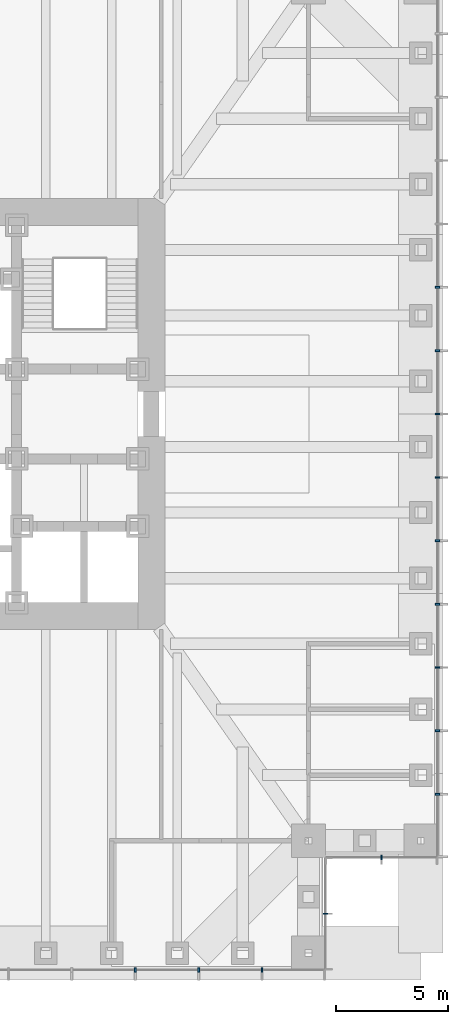
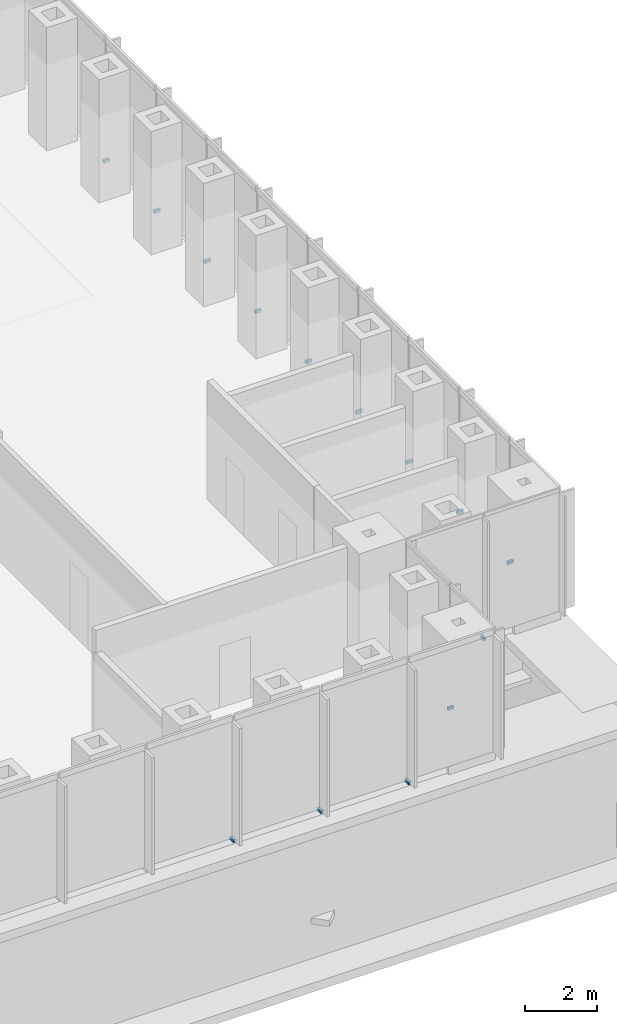
# One storey, part 13 of 16: 14 discrete accessories.
"""IFC4 building model written with IfcOpenShell, lengths in metres."""

from ifc_helpers import new_model, si_unit, direction, frame, origin, origin_2d, place, context, subcontext, project, spatial, rectangle, extrude, element, save


model = new_model("IFC4")

# Units and contexts
model_context = context("Model", 3, precision=1e-05, world=origin(), true_north=direction((0.0, 1.0)))
body_context = subcontext(model_context, "Body", "Model", "MODEL_VIEW")
ifc_project = project(units=[si_unit("LENGTHUNIT", "METRE"), si_unit("AREAUNIT", "SQUARE_METRE"), si_unit("VOLUMEUNIT", "CUBIC_METRE"), si_unit("PLANEANGLEUNIT", "RADIAN"), si_unit("MASSUNIT", "GRAM", prefix="KILO")], contexts=[model_context])

# Site, building, storey
site_placement = place(None, origin())
site = spatial("IfcSite", under=ifc_project, at=site_placement, CompositionType="ELEMENT")
building_placement = place(site_placement, origin())
building = spatial("IfcBuilding", under=site, at=building_placement, Name="Daluyong Arena Tower", CompositionType="ELEMENT")
storey_placement = place(building_placement, frame((0.0, 0.0, 34.89990234375)))
storey = spatial("IfcBuildingStorey", under=building, at=storey_placement, Name="L06", CompositionType="ELEMENT", Elevation=34.89990234375)

# Discrete accessories
for number, where, z_axis, x_axis, name in (
    (1, (67.28564453125, 55.25, -0.099853515625), (0.0, 0.0, 1.0), (1.0, 0.0, 0.0), "curtain wall L06 S anchor bracket 12"),
    (2, (70.107177734375, 55.25, -0.099853515625), (0.0, 0.0, 1.0), (1.0, 0.0, 0.0), "curtain wall L06 S anchor bracket 13"),
    (3, (72.928466796875, 55.25, -0.099853515625), (0.0, 0.0, 1.0), (1.0, 0.0, 0.0), "curtain wall L06 S anchor bracket 14"),
):
    element("IfcDiscreteAccessory", number, at=place(storey_placement, frame(where, z_axis=z_axis, x_axis=x_axis)), inside=storey, Name=name, PredefinedType="BRACKET", context=body_context, shape_type="SweptSolid", body=[
        extrude(rectangle(XDim=0.080078125, YDim=0.199951171875, at=origin_2d()), origin(), (0.0, 0.0, 1.0), 0.10009765625),
    ])
for number, where, z_axis, x_axis, name in (
    (4, (75.75, 57.75, -0.099853515625), (0.0, 0.0, 1.0), (0.0, 1.0, 0.0), "curtain wall L06 SE-E anchor bracket 2"),
    (5, (78.25, 60.25, -0.099853515625), (0.0, 0.0, 1.0), (1.0, 0.0, 0.0), "curtain wall L06 SE-S anchor bracket 2"),
):
    element("IfcDiscreteAccessory", number, at=place(storey_placement, frame(where, z_axis=z_axis, x_axis=x_axis)), inside=storey, Name=name, PredefinedType="BRACKET", context=body_context, shape_type="SweptSolid", body=[
        extrude(rectangle(XDim=0.06005859375, YDim=0.199951171875, at=origin_2d()), origin(), (0.0, 0.0, 1.0), 0.10009765625),
    ])
for number, where, z_axis, x_axis, name in (
    (6, (80.75, 63.071533203125, -0.099853515625), (0.0, 0.0, 1.0), (0.0, 1.0, 0.0), "curtain wall L06 E anchor bracket 2"),
    (7, (80.75, 65.892822265625, -0.099853515625), (0.0, 0.0, 1.0), (0.0, 1.0, 0.0), "curtain wall L06 E anchor bracket 3"),
    (8, (80.75, 68.71435546875, -0.099853515625), (0.0, 0.0, 1.0), (0.0, 1.0, 0.0), "curtain wall L06 E anchor bracket 4"),
    (9, (80.75, 71.53564453125, -0.099853515625), (0.0, 0.0, 1.0), (0.0, 1.0, 0.0), "curtain wall L06 E anchor bracket 5"),
    (10, (80.75, 74.357177734375, -0.099853515625), (0.0, 0.0, 1.0), (0.0, 1.0, 0.0), "curtain wall L06 E anchor bracket 6"),
    (11, (80.75, 77.178466796875, -0.099853515625), (0.0, 0.0, 1.0), (0.0, 1.0, 0.0), "curtain wall L06 E anchor bracket 7"),
    (12, (80.75, 80.0, -0.099853515625), (0.0, 0.0, 1.0), (0.0, 1.0, 0.0), "curtain wall L06 E anchor bracket 8"),
    (13, (80.75, 82.821533203125, -0.099853515625), (0.0, 0.0, 1.0), (0.0, 1.0, 0.0), "curtain wall L06 E anchor bracket 9"),
    (14, (80.75, 85.642822265625, -0.099853515625), (0.0, 0.0, 1.0), (0.0, 1.0, 0.0), "curtain wall L06 E anchor bracket 10"),
):
    element("IfcDiscreteAccessory", number, at=place(storey_placement, frame(where, z_axis=z_axis, x_axis=x_axis)), inside=storey, Name=name, PredefinedType="BRACKET", context=body_context, shape_type="SweptSolid", body=[
        extrude(rectangle(XDim=0.080078125, YDim=0.199951171875, at=origin_2d()), origin(), (0.0, 0.0, 1.0), 0.10009765625),
    ])

save(model, "model.ifc")
